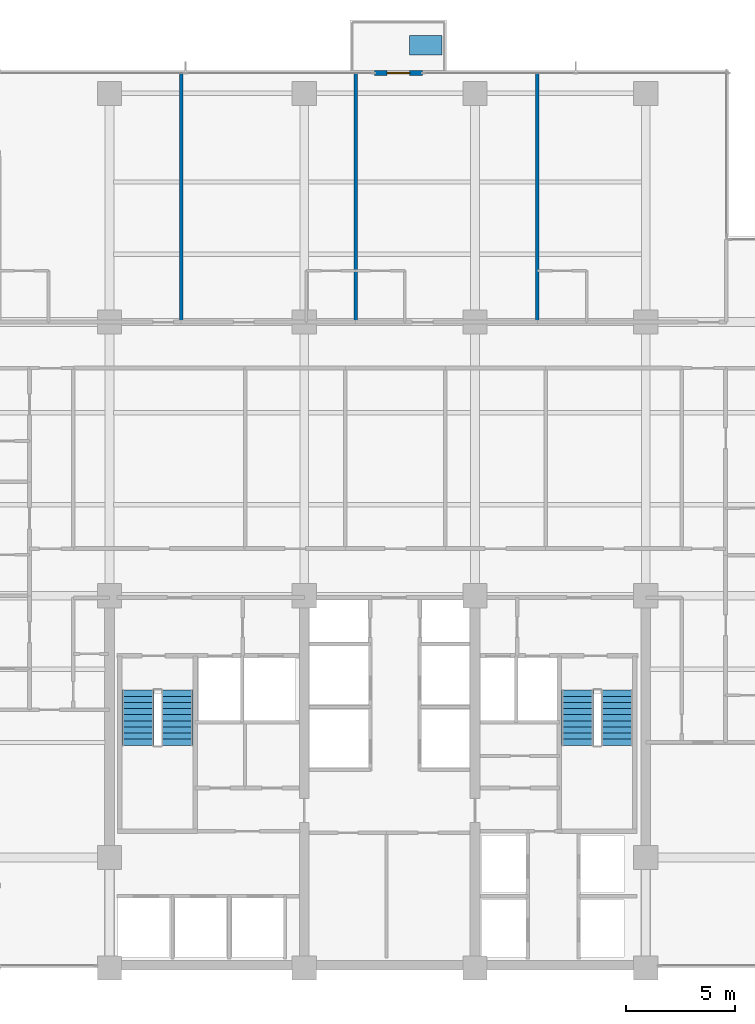
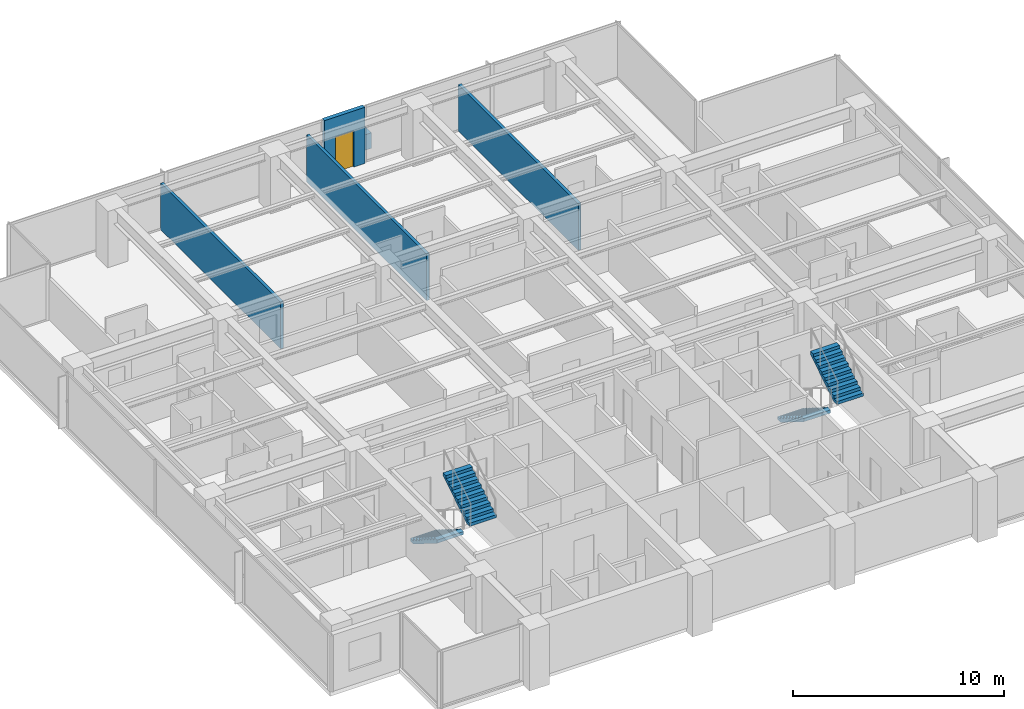
# One storey, part 11 of 16: 4 stair flights, 4 walls, 1 discrete accessory, 1 door, 1 opening, 2 elements without a shape of their own.
"""IFC4 building model written with IfcOpenShell, lengths in metres."""

import ifcopenshell
import ifcopenshell.guid

model = None  # the IFC model being written
_history = None  # IfcOwnerHistory: only IFC2X3 demands one
_inside = {}  # id of a spatial element -> (the spatial element, [elements in it])
_under = {}  # id of a project, library or spatial element -> (it, [spatial elements below it])
_declared = {}  # id of a project -> (the project, [libraries it declares])
_typed = {}  # id of a type object -> (the type object, [elements of that type])
_made_of = {}  # id of a material, layer set ... -> (it, [elements and type objects made of it])


def new_model(schema):
    """Start an empty IFC model of exactly this schema.

    Asked for "IFC4X3", IfcOpenShell would pick the latest addendum, in which some entities
    have other attributes; the version numbers below select the first issue.
    IFC2X3 requires an IfcOwnerHistory on every rooted entity: one is made here for all.
    """
    global model, _history
    if schema == "IFC4X3":
        model = ifcopenshell.file(schema_version=(4, 3, 0, 0))
    else:
        model = ifcopenshell.file(schema=schema)
    _inside.clear()
    _under.clear()
    _declared.clear()
    _typed.clear()
    _made_of.clear()
    _history = None
    if model.schema == "IFC2X3":
        org = make("IfcOrganization", Name="unknown")
        user = make(
            "IfcPersonAndOrganization",
            ThePerson=make("IfcPerson", FamilyName="unknown"),
            TheOrganization=org,
        )
        app = make(
            "IfcApplication",
            ApplicationDeveloper=org,
            Version="unknown",
            ApplicationFullName="unknown",
            ApplicationIdentifier="unknown",
        )
        _history = make(
            "IfcOwnerHistory",
            OwningUser=user,
            OwningApplication=app,
            ChangeAction="ADDED",
            CreationDate=0,
        )
    return model


def make(cls, **values):
    """One entity of the class cls with the attributes given. An attribute that is None is left unset."""
    return model.create_entity(
        cls, **{name: value for name, value in values.items() if value is not None}
    )


def rooted(cls, **values):
    """An entity with a GlobalId (a new one), such as an element, a storey or a relation."""
    return make(cls, GlobalId=ifcopenshell.guid.new(), OwnerHistory=_history, **values)


def si_unit(unit_type, name, prefix=None):
    """IfcSIUnit, for example si_unit("LENGTHUNIT", "METRE", prefix="MILLI")."""
    return make("IfcSIUnit", UnitType=unit_type, Prefix=prefix, Name=name)


def assignment(units):
    """IfcUnitAssignment: the units of a project."""
    return None if units is None else make("IfcUnitAssignment", Units=units)


def point(xyz):
    """IfcCartesianPoint."""
    return None if xyz is None else make("IfcCartesianPoint", Coordinates=xyz)


def direction(xyz):
    """IfcDirection."""
    return None if xyz is None else make("IfcDirection", DirectionRatios=xyz)


def frame(location, z_axis=None, x_axis=None):
    """IfcAxis2Placement3D, a coordinate frame: its origin and axes. An axis left out is left unset."""
    return make(
        "IfcAxis2Placement3D",
        Location=point(location),
        Axis=direction(z_axis),
        RefDirection=direction(x_axis),
    )


def frame_2d(location, x_axis=None):
    """IfcAxis2Placement2D, a coordinate frame in the plane: its origin and x axis."""
    return make(
        "IfcAxis2Placement2D", Location=point(location), RefDirection=direction(x_axis)
    )


def origin():
    """The frame at (0, 0, 0) with its axes left unset."""
    return frame((0.0, 0.0, 0.0))


def place(relative_to, where):
    """IfcLocalPlacement: puts the frame where relative to a parent placement (None: the world)."""
    return make(
        "IfcLocalPlacement", PlacementRelTo=relative_to, RelativePlacement=where
    )


def context(
    kind, dimensions, precision=None, world=None, true_north=None, identifier=None
):
    """IfcGeometricRepresentationContext, for example the 3D "Model" context."""
    return make(
        "IfcGeometricRepresentationContext",
        ContextIdentifier=identifier,
        ContextType=kind,
        CoordinateSpaceDimension=dimensions,
        Precision=precision,
        WorldCoordinateSystem=world,
        TrueNorth=true_north,
    )


def subcontext(parent, identifier, kind, view, scale=None):
    """IfcGeometricRepresentationSubContext, for example "Body" below "Model"."""
    return make(
        "IfcGeometricRepresentationSubContext",
        ContextIdentifier=identifier,
        ContextType=kind,
        ParentContext=parent,
        TargetScale=scale,
        TargetView=view,
    )


def project(units=None, contexts=None):
    """IfcProject with its units and contexts."""
    return rooted(
        "IfcProject",
        Name="project",
        RepresentationContexts=contexts,
        UnitsInContext=assignment(units),
    )


def spatial(cls, under=None, at=None, **own):
    """A site, building, storey or space (cls), placed at a placement, below another one or the project."""
    s = rooted(cls, ObjectPlacement=at, **own)
    if under is not None:
        _under.setdefault(under.id(), (under, []))[1].append(s)
    return s


def polyline(points):
    """IfcPolyline through the points."""
    return make("IfcPolyline", Points=[point(p) for p in points])


def profile(cls, at=None, kind="AREA", **sizes):
    """A parametric profile (cls). Its sizes go by their IFC names, for example OverallWidth=200.0."""
    return make(cls, ProfileType=kind, Position=at, **sizes)


def rectangle(**sizes):
    """IfcRectangleProfileDef."""
    return profile("IfcRectangleProfileDef", **sizes)


def outline(outer, holes=None, kind="AREA"):
    """IfcArbitraryClosedProfileDef: a profile drawn as a closed curve; with holes, ...WithVoids."""
    if holes is None:
        return make("IfcArbitraryClosedProfileDef", ProfileType=kind, OuterCurve=outer)
    return make(
        "IfcArbitraryProfileDefWithVoids",
        ProfileType=kind,
        OuterCurve=outer,
        InnerCurves=holes,
    )


def extrude(swept, where, along, depth):
    """IfcExtrudedAreaSolid: the profile swept, set in the frame where, extruded along a direction by depth."""
    return make(
        "IfcExtrudedAreaSolid",
        SweptArea=swept,
        Position=where,
        ExtrudedDirection=direction(along),
        Depth=depth,
    )


def shape(context_of_items, identifier, shape_type, items):
    """IfcShapeRepresentation: the items that make up one representation, for example the "Body"."""
    return make(
        "IfcShapeRepresentation",
        ContextOfItems=context_of_items,
        RepresentationIdentifier=identifier,
        RepresentationType=shape_type,
        Items=items,
    )


def material(Name=None, Category=None):
    """IfcMaterial."""
    return make("IfcMaterial", Name=Name, Category=Category)


def layer(
    of_material, thickness, ventilated=None, Name=None, Category=None, Priority=None
):
    """IfcMaterialLayer: one layer of a wall or slab, of a material (None: an air gap)."""
    return make(
        "IfcMaterialLayer",
        Material=of_material,
        LayerThickness=thickness,
        IsVentilated=ventilated,
        Name=Name,
        Category=Category,
        Priority=Priority,
    )


def layer_set(layers, Name=None):
    """IfcMaterialLayerSet."""
    return make("IfcMaterialLayerSet", MaterialLayers=layers, LayerSetName=Name)


def made_of(thing, what):
    """Note that an element or type object is made of a material, layer set ...; save() writes the relation."""
    if what is not None:
        _made_of.setdefault(what.id(), (what, []))[1].append(thing)
    return thing


def type_object(cls, material=None, **own):
    """A type object (cls), such as IfcWallType, which elements share."""
    return made_of(rooted(cls, **own), material)


def element(
    cls,
    number,
    at=None,
    inside=None,
    cuts=None,
    type_object=None,
    material=None,
    context=None,
    identifier="Body",
    shape_type=None,
    held_by="IfcProductDefinitionShape",
    body=None,
    shapes=None,
    **own,
):
    """One element of the class cls, such as IfcWall. Its Tag is "e" and its number.

    at: its placement. inside: the storey or other place that contains it. cuts: it is an
    opening in that element (IfcRelVoidsElement). A single representation is given by context,
    identifier, shape_type and body (its items); several are given by shapes. held_by: the class
    of the entity that holds the representations. save() writes the other relations.
    """
    e = rooted(cls, Tag="e%d" % number, ObjectPlacement=at, **own)
    if body is not None:
        shapes = [shape(context, identifier, shape_type, body)]
    if shapes is not None:
        e.Representation = make(held_by, Representations=shapes)
    if inside is not None:
        _inside.setdefault(inside.id(), (inside, []))[1].append(e)
    if cuts is not None:
        rooted(
            "IfcRelVoidsElement", RelatingBuildingElement=cuts, RelatedOpeningElement=e
        )
    if type_object is not None:
        _typed.setdefault(type_object.id(), (type_object, []))[1].append(e)
    return made_of(e, material)


def fill(opening, filler):
    """IfcRelFillsElement: the door or window that sits in an opening."""
    return rooted(
        "IfcRelFillsElement",
        RelatingOpeningElement=opening,
        RelatedBuildingElement=filler,
    )


def aggregate(whole, parts):
    """IfcRelAggregates: a whole, such as a stair, and the parts it consists of."""
    return rooted("IfcRelAggregates", RelatingObject=whole, RelatedObjects=parts)


def save(model, path):
    """Write the relations noted so far, then the file.

    IfcRelAggregates (storeys below a building ...), IfcRelContainedInSpatialStructure (elements
    in a storey), IfcRelDefinesByType, IfcRelAssociatesMaterial and IfcRelDeclares: one each for
    every whole, place, type object, material and project.
    """
    for whole, parts in _under.values():
        aggregate(whole, parts)
    for where, things in _inside.values():
        rooted(
            "IfcRelContainedInSpatialStructure",
            RelatedElements=things,
            RelatingStructure=where,
        )
    for kind, things in _typed.values():
        rooted("IfcRelDefinesByType", RelatedObjects=things, RelatingType=kind)
    for what, things in _made_of.values():
        rooted("IfcRelAssociatesMaterial", RelatedObjects=things, RelatingMaterial=what)
    for by, libraries in _declared.values():
        rooted("IfcRelDeclares", RelatingContext=by, RelatedDefinitions=libraries)
    model.write(path)


model = new_model("IFC4")

# Units and contexts
model_context = context("Model", 3, precision=1e-05, world=origin(), true_north=direction((0.0, 1.0)))
body_context = subcontext(model_context, "Body", "Model", "MODEL_VIEW")
ifc_project = project(units=[si_unit("LENGTHUNIT", "METRE"), si_unit("AREAUNIT", "SQUARE_METRE"), si_unit("VOLUMEUNIT", "CUBIC_METRE"), si_unit("PLANEANGLEUNIT", "RADIAN"), si_unit("MASSUNIT", "GRAM", prefix="KILO")], contexts=[model_context])

# Site, building, storey
site_placement = place(None, origin())
site = spatial("IfcSite", under=ifc_project, at=site_placement, CompositionType="ELEMENT")
building_placement = place(site_placement, origin())
building = spatial("IfcBuilding", under=site, at=building_placement, Name="Qalmaran Belvedere Hotel", CompositionType="ELEMENT")
storey_placement = place(building_placement, frame((0.0, 0.0, 145.60009765625)))
storey = spatial("IfcBuildingStorey", under=building, at=storey_placement, Name="L36", CompositionType="ELEMENT", Elevation=145.60009765625)

# Wall, opening, door
ifc_material_1 = material(Name="Anodised Bronze Cladding")
ifc_layer_1 = layer(ifc_material_1, 0.22509765625, Name="Anodised Bronze Cladding")
ifc_layer_set_1 = layer_set([ifc_layer_1], Name="Anodised Bronze Cladding")
wall_type_1 = type_object("IfcWallType", Name="WL-BAL-PORT-225", PredefinedType="SOLIDWALL", material=ifc_layer_set_1)
wall_placement = place(storey_placement, frame((32.39990234375, 44.3798828125, 0.0), z_axis=(0.0, 0.0, 1.0), x_axis=(1.0, 0.0, 0.0)))
wall = element("IfcWall", 1, at=wall_placement, inside=storey, type_object=wall_type_1, Name="L36 Tree Balcony Door Portal", PredefinedType="SOLIDWALL", context=body_context, shape_type="SweptSolid", body=[
    extrude(rectangle(XDim=2.2001953125, YDim=0.22509765625, at=frame_2d((1.10009765625, 0.0))), origin(), (0.0, 0.0, 1.0), 3.25),
])
opening_placement = place(wall_placement, frame((0.590087890625, 0.0, 0.0)))
opening = element("IfcOpeningElement", 2, at=opening_placement, cuts=wall, Name="Opening BL-102", PredefinedType="OPENING", context=body_context, shape_type="SweptSolid", body=[
    extrude(rectangle(XDim=1.02001953125, YDim=2.10009765625, at=frame_2d((0.510009765625, 1.050048828125))), frame((0.0, 0.12255859375, 0.0), z_axis=(0.0, -1.0, 0.0), x_axis=(1.0, 0.0, 0.0)), (0.0, 0.0, 1.0), 0.2451171875),
])
ifc_material_2 = material(Name="Anodised Bronze Aluminium", Category="aluminium")
door_type = type_object("IfcDoorType", Name="DR-BAL-1020X2100", OperationType="NOTDEFINED", PredefinedType="DOOR", material=ifc_material_2)
door_placement = place(opening_placement, origin())
door = element("IfcDoor", 3, at=door_placement, inside=storey, type_object=door_type, Name="L36 Planted Tree Balcony Door", OperationType="SINGLE_SWING_LEFT", OverallHeight=2.10009765625, OverallWidth=1.02001953125, PredefinedType="DOOR", context=body_context, shape_type="SweptSolid", body=[
    extrude(rectangle(XDim=1.02001953125, YDim=2.10009765625, at=frame_2d((0.510009765625, 1.050048828125))), frame((0.0, 0.02490234375, 0.0), z_axis=(0.0, -1.0, 0.0), x_axis=(1.0, 0.0, 0.0)), (0.0, 0.0, 1.0), 0.050048828125),
])
fill(opening, door)

# Walls
ifc_material_3 = material(Name="Gypsum Stud Partition")
ifc_layer_2 = layer(ifc_material_3, 0.159912109375, Name="Gypsum Stud Partition")
ifc_layer_set_2 = layer_set([ifc_layer_2], Name="Gypsum Stud Partition")
wall_type_2 = type_object("IfcWallType", Name="WL-INT-160-EI60", PredefinedType="PARTITIONING", material=ifc_layer_set_2)
for number, where, z_axis, x_axis, name in (
    (4, (23.572509765625, 33.0, 0.0), (0.0, 0.0, 1.0), (0.0, 1.0, 0.0), "L36 Partition WL-L36-NUR00"),
    (5, (31.54296875, 33.0, 0.0), (0.0, 0.0, 1.0), (0.0, 1.0, 0.0), "L36 Partition WL-L36-NUR01"),
    (6, (39.845458984375, 33.0, 0.0), (0.0, 0.0, 1.0), (0.0, 1.0, 0.0), "L36 Partition WL-L36-NUR02"),
):
    element("IfcWall", number, at=place(storey_placement, frame(where, z_axis=z_axis, x_axis=x_axis)), inside=storey, type_object=wall_type_2, Name=name, PredefinedType="PARTITIONING", context=body_context, shape_type="SweptSolid", body=[
        extrude(rectangle(XDim=11.3798828125, YDim=0.159912109375, at=frame_2d((5.68994140625, 0.0))), origin(), (0.0, 0.0, 1.0), 2.69189453125),
    ])

# Stair, stair flights
ifc_material_4 = material(Name="Concrete C40/50", Category="concrete")
stair_type_1 = type_object("IfcStairType", Name="STR-ST-1-1450-R1750", PredefinedType="HALF_TURN_STAIR", material=ifc_material_4)
stair_1_placement = place(storey_placement, origin())
stair_1 = element("IfcStair", 7, at=stair_1_placement, inside=storey, type_object=stair_type_1, Name="L36 West Core Exit Stair ST-1", PredefinedType="HALF_TURN_STAIR")
ifc_layer_3 = layer(ifc_material_4, 0.14990234375, Name="Concrete C40/50")
ifc_layer_set_3 = layer_set([ifc_layer_3], Name="Concrete C40/50")
stair_flight_type_1 = type_object("IfcStairFlightType", Name="STF-ST-1-1450-R1750", PredefinedType="STRAIGHT", material=ifc_layer_set_3)
stair_flight_1_placement = place(storey_placement, frame((21.60498046875, 16.18994140625, 0.0), z_axis=(0.0, 0.0, 1.0), x_axis=(0.0, -1.0, 0.0)))
stair_flight_1 = element("IfcStairFlight", 8, at=stair_flight_1_placement, type_object=stair_flight_type_1, Name="ST-1 flight 1", NumberOfRisers=10, NumberOfTreads=9, PredefinedType="STRAIGHT", RiserHeight=0.175, TreadLength=0.28, context=body_context, shape_type="SweptSolid", body=[
    extrude(outline(polyline([(0.0, 0.0), (0.0, 0.175048828125), (0.280029296875, 0.175048828125), (0.280029296875, 0.35009765625), (0.56005859375, 0.35009765625), (0.56005859375, 0.52490234375), (0.840087890625, 0.52490234375), (0.840087890625, 0.699951171875), (1.1201171875, 0.699951171875), (1.1201171875, 0.875), (1.39990234375, 0.875), (1.39990234375, 1.050048828125), (1.679931640625, 1.050048828125), (1.679931640625, 1.22509765625), (1.9599609375, 1.22509765625), (1.9599609375, 1.39990234375), (2.239990234375, 1.39990234375), (2.239990234375, 1.574951171875), (2.52001953125, 1.574951171875), (2.52001953125, 1.75), (2.52001953125, 1.398193359375), (0.28271484375, 0.0), (0.0, 0.0)])), frame((0.0, 0.72509765625, 0.0), z_axis=(0.0, -1.0, 0.0), x_axis=(1.0, 0.0, 0.0)), (0.0, 0.0, 1.0), 1.449951171875),
])
stair_flight_2_placement = place(storey_placement, frame((23.39501953125, 13.669921875, 1.75), z_axis=(0.0, 0.0, 1.0), x_axis=(0.0, 1.0, 0.0)))
stair_flight_2 = element("IfcStairFlight", 9, at=stair_flight_2_placement, type_object=stair_flight_type_1, Name="ST-1 flight 2", NumberOfRisers=10, NumberOfTreads=9, PredefinedType="STRAIGHT", RiserHeight=0.175, TreadLength=0.28, context=body_context, shape_type="SweptSolid", body=[
    extrude(outline(polyline([(0.0, 0.0), (0.0, 0.175048828125), (0.280029296875, 0.175048828125), (0.280029296875, 0.35009765625), (0.56005859375, 0.35009765625), (0.56005859375, 0.52490234375), (0.840087890625, 0.52490234375), (0.840087890625, 0.699951171875), (1.1201171875, 0.699951171875), (1.1201171875, 0.875), (1.39990234375, 0.875), (1.39990234375, 1.050048828125), (1.679931640625, 1.050048828125), (1.679931640625, 1.22509765625), (1.9599609375, 1.22509765625), (1.9599609375, 1.39990234375), (2.239990234375, 1.39990234375), (2.239990234375, 1.574951171875), (2.52001953125, 1.574951171875), (2.52001953125, 1.75), (2.52001953125, 1.398193359375), (0.28271484375, 0.0), (0.0, 0.0)])), frame((0.0, 0.72509765625, 0.0), z_axis=(0.0, -1.0, 0.0), x_axis=(1.0, 0.0, 0.0)), (0.0, 0.0, 1.0), 1.449951171875),
])
aggregate(stair_1, [stair_flight_1, stair_flight_2])

stair_type_2 = type_object("IfcStairType", Name="STR-ST-2-1450-R1750", PredefinedType="HALF_TURN_STAIR", material=ifc_material_4)
stair_2_placement = place(storey_placement, origin())
stair_2 = element("IfcStair", 10, at=stair_2_placement, inside=storey, type_object=stair_type_2, Name="L36 East Core Exit Stair ST-2", PredefinedType="HALF_TURN_STAIR")
ifc_layer_4 = layer(ifc_material_4, 0.14990234375, Name="Concrete C40/50")
ifc_layer_set_4 = layer_set([ifc_layer_4], Name="Concrete C40/50")
stair_flight_type_2 = type_object("IfcStairFlightType", Name="STF-ST-2-1450-R1750", PredefinedType="STRAIGHT", material=ifc_layer_set_4)
stair_flight_3_placement = place(storey_placement, frame((41.68505859375, 16.18994140625, 0.0), z_axis=(0.0, 0.0, 1.0), x_axis=(0.0, -1.0, 0.0)))
stair_flight_3 = element("IfcStairFlight", 11, at=stair_flight_3_placement, type_object=stair_flight_type_2, Name="ST-2 flight 1", NumberOfRisers=10, NumberOfTreads=9, PredefinedType="STRAIGHT", RiserHeight=0.175, TreadLength=0.28, context=body_context, shape_type="SweptSolid", body=[
    extrude(outline(polyline([(0.0, 0.0), (0.0, 0.175048828125), (0.280029296875, 0.175048828125), (0.280029296875, 0.35009765625), (0.56005859375, 0.35009765625), (0.56005859375, 0.52490234375), (0.840087890625, 0.52490234375), (0.840087890625, 0.699951171875), (1.1201171875, 0.699951171875), (1.1201171875, 0.875), (1.39990234375, 0.875), (1.39990234375, 1.050048828125), (1.679931640625, 1.050048828125), (1.679931640625, 1.22509765625), (1.9599609375, 1.22509765625), (1.9599609375, 1.39990234375), (2.239990234375, 1.39990234375), (2.239990234375, 1.574951171875), (2.52001953125, 1.574951171875), (2.52001953125, 1.75), (2.52001953125, 1.398193359375), (0.28271484375, 0.0), (0.0, 0.0)])), frame((0.0, 0.72509765625, 0.0), z_axis=(0.0, -1.0, 0.0), x_axis=(1.0, 0.0, 0.0)), (0.0, 0.0, 1.0), 1.449951171875),
])
stair_flight_4_placement = place(storey_placement, frame((43.47509765625, 13.669921875, 1.75), z_axis=(0.0, 0.0, 1.0), x_axis=(0.0, 1.0, 0.0)))
stair_flight_4 = element("IfcStairFlight", 12, at=stair_flight_4_placement, type_object=stair_flight_type_2, Name="ST-2 flight 2", NumberOfRisers=10, NumberOfTreads=9, PredefinedType="STRAIGHT", RiserHeight=0.175, TreadLength=0.28, context=body_context, shape_type="SweptSolid", body=[
    extrude(outline(polyline([(0.0, 0.0), (0.0, 0.175048828125), (0.280029296875, 0.175048828125), (0.280029296875, 0.35009765625), (0.56005859375, 0.35009765625), (0.56005859375, 0.52490234375), (0.840087890625, 0.52490234375), (0.840087890625, 0.699951171875), (1.1201171875, 0.699951171875), (1.1201171875, 0.875), (1.39990234375, 0.875), (1.39990234375, 1.050048828125), (1.679931640625, 1.050048828125), (1.679931640625, 1.22509765625), (1.9599609375, 1.22509765625), (1.9599609375, 1.39990234375), (2.239990234375, 1.39990234375), (2.239990234375, 1.574951171875), (2.52001953125, 1.574951171875), (2.52001953125, 1.75), (2.52001953125, 1.398193359375), (0.28271484375, 0.0), (0.0, 0.0)])), frame((0.0, 0.72509765625, 0.0), z_axis=(0.0, -1.0, 0.0), x_axis=(1.0, 0.0, 0.0)), (0.0, 0.0, 1.0), 1.449951171875),
])
aggregate(stair_2, [stair_flight_3, stair_flight_4])

# Discrete accessory
discrete_accessory_type = type_object("IfcDiscreteAccessoryType", Name="PLN-BAL-1500", PredefinedType="USERDEFINED", material=ifc_material_4)
discrete_accessory_placement = place(storey_placement, origin())
element("IfcDiscreteAccessory", 13, at=discrete_accessory_placement, inside=storey, type_object=discrete_accessory_type, Name="L36 Sky Tree Planter", ObjectType="PLANTER", PredefinedType="USERDEFINED", context=body_context, shape_type="SweptSolid", body=[
    extrude(outline(polyline([(34.0, 45.199951171875), (35.5, 45.199951171875), (35.5, 46.10009765625), (34.0, 46.10009765625), (34.0, 45.199951171875)])), origin(), (0.0, 0.0, 1.0), 0.89990234375),
])

save(model, "model.ifc")
